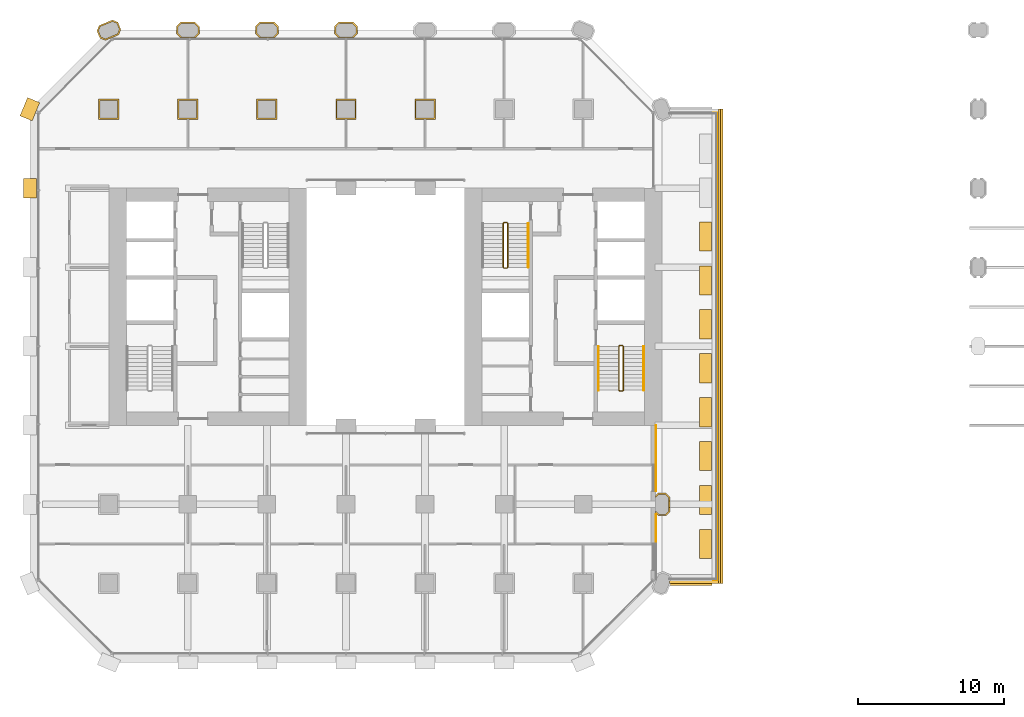
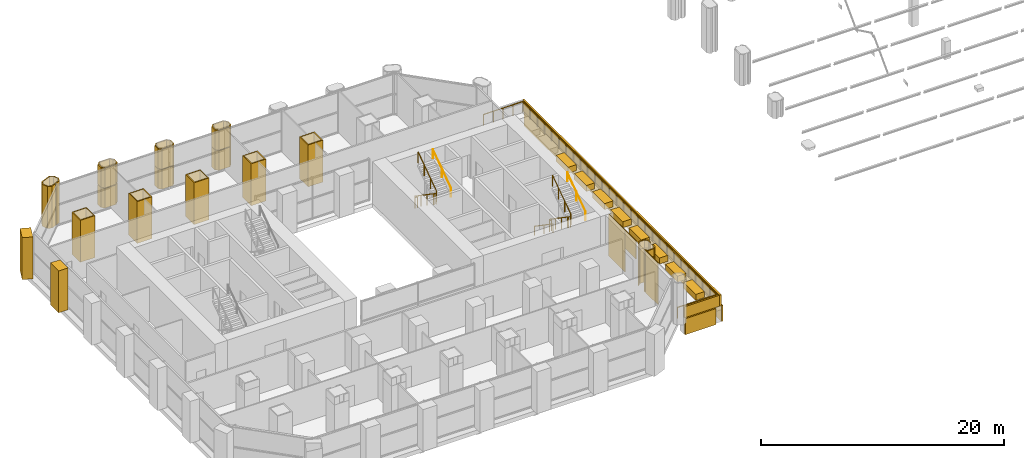
# One storey, part 21 of 23: 32 coverings, 6 railings.
"""IFC4 building model written with IfcOpenShell, lengths in metres."""

from ifc_helpers import new_model, si_unit, direction, frame, frame_2d, origin, origin_2d, place, context, subcontext, project, spatial, polyline, rectangle, circle, outline, extrude, material, layer, layer_set, type_object, element, save


model = new_model("IFC4")

# Units and contexts
model_context = context("Model", 3, precision=1e-05, world=origin(), true_north=direction((0.0, 1.0)))
body_context = subcontext(model_context, "Body", "Model", "MODEL_VIEW")
ifc_project = project(units=[si_unit("LENGTHUNIT", "METRE"), si_unit("AREAUNIT", "SQUARE_METRE"), si_unit("VOLUMEUNIT", "CUBIC_METRE"), si_unit("PLANEANGLEUNIT", "RADIAN"), si_unit("MASSUNIT", "GRAM", prefix="KILO")], contexts=[model_context])

# Site, building, storey
site_placement = place(None, origin())
site = spatial("IfcSite", under=ifc_project, at=site_placement, CompositionType="ELEMENT")
building_placement = place(site_placement, origin())
building = spatial("IfcBuilding", under=site, at=building_placement, Name="Tabaq Tower and Sports Hall", CompositionType="ELEMENT")
storey_placement = place(building_placement, frame((0.0, 0.0, 29.10009765625)))
storey = spatial("IfcBuildingStorey", under=building, at=storey_placement, Name="L05", CompositionType="ELEMENT", Elevation=29.10009765625)

# Coverings
ifc_material_1 = material(Name="Precast concrete C60/75", Category="concrete")
ifc_layer_1 = layer(ifc_material_1, 0.10009765625)
ifc_layer_set_1 = layer_set([ifc_layer_1], Name="Column cladding 100")
covering_type_1 = type_object("IfcCoveringType", Name="Column cladding 100", PredefinedType="CLADDING", material=ifc_layer_set_1)
covering_1_placement = place(storey_placement, origin())
element("IfcCovering", 1, at=covering_1_placement, inside=storey, type_object=covering_type_1, Name="Column cladding L05 CC-2H-P", PredefinedType="CLADDING", context=body_context, shape_type="SweptSolid", body=[
    extrude(outline(polyline([(4.7001953125, 38.499755859375), (6.099609375, 38.499755859375), (6.099609375, 37.100341796875), (4.7001953125, 37.100341796875), (4.7001953125, 38.499755859375)]), holes=[polyline([(6.000244140625, 37.19970703125), (6.000244140625, 38.400390625), (4.7998046875, 38.400390625), (4.7998046875, 37.19970703125), (6.000244140625, 37.19970703125)])]), origin(), (0.0, 0.0, 1.0), 4.199951171875),
])
covering_2_placement = place(storey_placement, origin())
element("IfcCovering", 2, at=covering_2_placement, inside=storey, type_object=covering_type_1, Name="Column cladding L05 PC-2I-P", PredefinedType="CLADDING", context=body_context, shape_type="SweptSolid", body=[
    extrude(outline(polyline([(4.582275390625, 43.149658203125), (4.73583984375, 43.519775390625), (5.6435546875, 43.895751953125), (6.013916015625, 43.742431640625), (6.217529296875, 43.25048828125), (6.064208984375, 42.880126953125), (5.60595703125, 42.690185546875), (5.586181640625, 42.690185546875), (5.586181640625, 42.68212890625), (5.156494140625, 42.504150390625), (4.7861328125, 42.657470703125), (4.582275390625, 43.149658203125)]), holes=[polyline([(6.110107421875, 43.25048828125), (5.937744140625, 43.66650390625), (5.6435546875, 43.788330078125), (4.811767578125, 43.44384765625), (4.68994140625, 43.149658203125), (4.8623046875, 42.733642578125), (5.156494140625, 42.61181640625), (5.98828125, 42.956298828125), (6.110107421875, 43.25048828125)])]), origin(), (0.0, 0.0, 1.0), 4.199951171875),
])
covering_3_placement = place(storey_placement, origin())
element("IfcCovering", 3, at=covering_3_placement, inside=storey, type_object=covering_type_1, Name="Column cladding L05 CC-3H-P", PredefinedType="CLADDING", context=body_context, shape_type="SweptSolid", body=[
    extrude(outline(polyline([(10.100341796875, 38.499755859375), (11.499755859375, 38.499755859375), (11.499755859375, 37.100341796875), (10.100341796875, 37.100341796875), (10.100341796875, 38.499755859375)]), holes=[polyline([(11.400390625, 37.19970703125), (11.400390625, 38.400390625), (10.19970703125, 38.400390625), (10.19970703125, 37.19970703125), (11.400390625, 37.19970703125)])]), origin(), (0.0, 0.0, 1.0), 4.199951171875),
])
for number, where, name in (
    (4, (0.0, 0.0, 0.102294921875), "Column cladding L05 PC-3I-P"),
    (5, (0.0, 0.0, 2.13232421875), "Column cladding L05 PC-3I-P 2"),
):
    element("IfcCovering", number, at=place(storey_placement, frame(where)), inside=storey, type_object=covering_type_1, Name=name, PredefinedType="CLADDING", context=body_context, shape_type="SweptSolid", body=[
        extrude(outline(polyline([(10.025390625, 43.46630859375), (10.30859375, 43.749755859375), (11.291259765625, 43.749755859375), (11.57470703125, 43.46630859375), (11.57470703125, 42.93359375), (11.331298828125, 42.690185546875), (10.268798828125, 42.690185546875), (10.025390625, 42.93359375), (10.025390625, 43.46630859375)]), holes=[polyline([(11.475341796875, 42.974853515625), (11.475341796875, 43.425048828125), (11.250244140625, 43.650390625), (10.349853515625, 43.650390625), (10.124755859375, 43.425048828125), (10.124755859375, 42.974853515625), (10.349853515625, 42.749755859375), (11.250244140625, 42.749755859375), (11.475341796875, 42.974853515625)])]), origin(), (0.0, 0.0, 1.0), 1.965087890625),
    ])
covering_4_placement = place(storey_placement, origin())
element("IfcCovering", 6, at=covering_4_placement, inside=storey, type_object=covering_type_1, Name="Column cladding L05 CC-4H-P", PredefinedType="CLADDING", context=body_context, shape_type="SweptSolid", body=[
    extrude(outline(polyline([(15.500244140625, 38.499755859375), (16.899658203125, 38.499755859375), (16.899658203125, 37.100341796875), (15.500244140625, 37.100341796875), (15.500244140625, 38.499755859375)]), holes=[polyline([(16.80029296875, 37.19970703125), (16.80029296875, 38.400390625), (15.599609375, 38.400390625), (15.599609375, 37.19970703125), (16.80029296875, 37.19970703125)])]), origin(), (0.0, 0.0, 1.0), 4.199951171875),
])
for number, where, name in (
    (7, (0.0, 0.0, 0.102294921875), "Column cladding L05 PC-4I-P"),
    (8, (0.0, 0.0, 2.13232421875), "Column cladding L05 PC-4I-P 2"),
):
    element("IfcCovering", number, at=place(storey_placement, frame(where)), inside=storey, type_object=covering_type_1, Name=name, PredefinedType="CLADDING", context=body_context, shape_type="SweptSolid", body=[
        extrude(outline(polyline([(15.42529296875, 43.46630859375), (15.708740234375, 43.749755859375), (16.69140625, 43.749755859375), (16.974609375, 43.46630859375), (16.974609375, 42.93359375), (16.731201171875, 42.690185546875), (15.668701171875, 42.690185546875), (15.42529296875, 42.93359375), (15.42529296875, 43.46630859375)]), holes=[polyline([(16.875244140625, 42.974853515625), (16.875244140625, 43.425048828125), (16.650146484375, 43.650390625), (15.749755859375, 43.650390625), (15.524658203125, 43.425048828125), (15.524658203125, 42.974853515625), (15.749755859375, 42.749755859375), (16.650146484375, 42.749755859375), (16.875244140625, 42.974853515625)])]), origin(), (0.0, 0.0, 1.0), 1.965087890625),
    ])
covering_5_placement = place(storey_placement, origin())
element("IfcCovering", 9, at=covering_5_placement, inside=storey, type_object=covering_type_1, Name="Column cladding L05 CC-5H-P", PredefinedType="CLADDING", context=body_context, shape_type="SweptSolid", body=[
    extrude(outline(polyline([(20.900390625, 38.499755859375), (22.2998046875, 38.499755859375), (22.2998046875, 37.100341796875), (20.900390625, 37.100341796875), (20.900390625, 38.499755859375)]), holes=[polyline([(22.2001953125, 37.19970703125), (22.2001953125, 38.400390625), (20.999755859375, 38.400390625), (20.999755859375, 37.19970703125), (22.2001953125, 37.19970703125)])]), origin(), (0.0, 0.0, 1.0), 4.199951171875),
])
for number, where, name in (
    (10, (0.0, 0.0, 0.102294921875), "Column cladding L05 PC-5I-P"),
    (11, (0.0, 0.0, 2.13232421875), "Column cladding L05 PC-5I-P 2"),
):
    element("IfcCovering", number, at=place(storey_placement, frame(where)), inside=storey, type_object=covering_type_1, Name=name, PredefinedType="CLADDING", context=body_context, shape_type="SweptSolid", body=[
        extrude(outline(polyline([(20.8251953125, 43.46630859375), (21.108642578125, 43.749755859375), (22.09130859375, 43.749755859375), (22.374755859375, 43.46630859375), (22.374755859375, 42.93359375), (22.13134765625, 42.690185546875), (21.068603515625, 42.690185546875), (20.8251953125, 42.93359375), (20.8251953125, 43.46630859375)]), holes=[polyline([(22.275390625, 42.974853515625), (22.275390625, 43.425048828125), (22.050048828125, 43.650390625), (21.14990234375, 43.650390625), (20.9248046875, 43.425048828125), (20.9248046875, 42.974853515625), (21.14990234375, 42.749755859375), (22.050048828125, 42.749755859375), (22.275390625, 42.974853515625)])]), origin(), (0.0, 0.0, 1.0), 1.965087890625),
    ])
covering_6_placement = place(storey_placement, origin())
element("IfcCovering", 12, at=covering_6_placement, inside=storey, type_object=covering_type_1, Name="Column cladding L05 CC-6H-P", PredefinedType="CLADDING", context=body_context, shape_type="SweptSolid", body=[
    extrude(outline(polyline([(26.30029296875, 38.499755859375), (27.69970703125, 38.499755859375), (27.69970703125, 37.100341796875), (26.30029296875, 37.100341796875), (26.30029296875, 38.499755859375)]), holes=[polyline([(27.600341796875, 37.19970703125), (27.600341796875, 38.400390625), (26.399658203125, 38.400390625), (26.399658203125, 37.19970703125), (27.600341796875, 37.19970703125)])]), origin(), (0.0, 0.0, 1.0), 4.199951171875),
])
covering_7_placement = place(storey_placement, origin())
element("IfcCovering", 13, at=covering_7_placement, inside=storey, type_object=covering_type_1, Name="Column cladding L05 PC-9C-P", PredefinedType="CLADDING", context=body_context, shape_type="SweptSolid", body=[
    extrude(outline(polyline([(42.93359375, 10.025390625), (42.750244140625, 10.208740234375), (42.750244140625, 10.349365234375), (42.974853515625, 10.124755859375), (43.425048828125, 10.124755859375), (43.650390625, 10.349853515625), (43.650390625, 11.250244140625), (43.425048828125, 11.475341796875), (42.974853515625, 11.475341796875), (42.750244140625, 11.250732421875), (42.750244140625, 11.391357421875), (42.93359375, 11.57470703125), (43.46630859375, 11.57470703125), (43.749755859375, 11.291259765625), (43.749755859375, 10.30859375), (43.46630859375, 10.025390625), (42.93359375, 10.025390625)])), origin(), (0.0, 0.0, 1.0), 3.449951171875),
])
covering_8_placement = place(storey_placement, frame((0.0, 0.0, 3.449951171875)))
element("IfcCovering", 14, at=covering_8_placement, inside=storey, type_object=covering_type_1, Name="Column cladding L05 PC-9C-P head", PredefinedType="CLADDING", context=body_context, shape_type="SweptSolid", body=[
    extrude(outline(polyline([(42.750244140625, 10.208740234375), (42.750244140625, 10.349365234375), (42.974853515625, 10.124755859375), (43.425048828125, 10.124755859375), (43.650390625, 10.349853515625), (43.650390625, 10.57470703125), (43.749755859375, 10.57470703125), (43.749755859375, 10.30859375), (43.46630859375, 10.025390625), (42.93359375, 10.025390625), (42.750244140625, 10.208740234375)])), origin(), (0.0, 0.0, 1.0), 0.75),
])
covering_9_placement = place(storey_placement, frame((0.0, 0.0, 3.449951171875)))
element("IfcCovering", 15, at=covering_9_placement, inside=storey, type_object=covering_type_1, Name="Column cladding L05 PC-9C-P head 2", PredefinedType="CLADDING", context=body_context, shape_type="SweptSolid", body=[
    extrude(outline(polyline([(43.650390625, 11.250244140625), (43.425048828125, 11.475341796875), (42.974853515625, 11.475341796875), (42.750244140625, 11.250732421875), (42.750244140625, 11.391357421875), (42.93359375, 11.57470703125), (43.46630859375, 11.57470703125), (43.749755859375, 11.291259765625), (43.749755859375, 11.025390625), (43.650390625, 11.025390625), (43.650390625, 11.250244140625)])), origin(), (0.0, 0.0, 1.0), 0.75),
])

# Railing
ifc_material_2 = material(Name="Stainless steel S316 and laminated glass", Category="steel")
railing_type_1 = type_object("IfcRailingType", Name="Guard 1100 steel and glass", PredefinedType="GUARDRAIL", material=ifc_material_2)
railing_1_placement = place(storey_placement, frame((43.199951171875, 5.64990234375, 0.0)))
element("IfcRailing", 16, at=railing_1_placement, inside=storey, type_object=railing_type_1, Name="Tray guard L05", PredefinedType="GUARDRAIL", context=body_context, shape_type="SweptSolid", body=[
    extrude(circle(Radius=0.02490234375, at=origin_2d()), frame((0.0, 0.0, 1.0751953125), z_axis=(1.0, 0.0, 0.0), x_axis=(0.0, 1.0, 0.0)), (0.0, 0.0, 1.0), 3.75),
    extrude(circle(Radius=0.02490234375, at=origin_2d()), frame((3.75, 0.0, 1.0751953125), z_axis=(0.0, 1.0, 0.0), x_axis=(-1.0, 0.0, 0.0)), (0.0, 0.0, 1.0), 31.900146484375),
    extrude(circle(Radius=0.02490234375, at=origin_2d()), frame((3.75, 31.900146484375, 1.0751953125), z_axis=(-1.0, 0.0, 0.0), x_axis=(0.0, -1.0, 0.0)), (0.0, 0.0, 1.0), 3.75),
    extrude(circle(Radius=0.02001953125, at=origin_2d()), origin(), (0.0, 0.0, 1.0), 1.050048828125),
    extrude(circle(Radius=0.02001953125, at=origin_2d()), frame((0.9375, 0.0, 0.0)), (0.0, 0.0, 1.0), 1.050048828125),
    extrude(circle(Radius=0.02001953125, at=origin_2d()), frame((1.875, 0.0, 0.0)), (0.0, 0.0, 1.0), 1.050048828125),
    extrude(circle(Radius=0.02001953125, at=origin_2d()), frame((2.8125, 0.0, 0.0)), (0.0, 0.0, 1.0), 1.050048828125),
    extrude(circle(Radius=0.02001953125, at=origin_2d()), frame((3.75, 0.0, 0.0)), (0.0, 0.0, 1.0), 1.050048828125),
    extrude(circle(Radius=0.02001953125, at=origin_2d()), frame((3.75, 1.181396484375, 0.0)), (0.0, 0.0, 1.0), 1.050048828125),
    extrude(circle(Radius=0.02001953125, at=origin_2d()), frame((3.75, 2.363037109375, 0.0)), (0.0, 0.0, 1.0), 1.050048828125),
    extrude(circle(Radius=0.02001953125, at=origin_2d()), frame((3.75, 3.54443359375, 0.0)), (0.0, 0.0, 1.0), 1.050048828125),
    extrude(circle(Radius=0.02001953125, at=origin_2d()), frame((3.75, 4.725830078125, 0.0)), (0.0, 0.0, 1.0), 1.050048828125),
    extrude(circle(Radius=0.02001953125, at=origin_2d()), frame((3.75, 5.907470703125, 0.0)), (0.0, 0.0, 1.0), 1.050048828125),
    extrude(circle(Radius=0.02001953125, at=origin_2d()), frame((3.75, 7.0888671875, 0.0)), (0.0, 0.0, 1.0), 1.050048828125),
    extrude(circle(Radius=0.02001953125, at=origin_2d()), frame((3.75, 8.2705078125, 0.0)), (0.0, 0.0, 1.0), 1.050048828125),
    extrude(circle(Radius=0.02001953125, at=origin_2d()), frame((3.75, 9.451904296875, 0.0)), (0.0, 0.0, 1.0), 1.050048828125),
    extrude(circle(Radius=0.02001953125, at=origin_2d()), frame((3.75, 10.63330078125, 0.0)), (0.0, 0.0, 1.0), 1.050048828125),
    extrude(circle(Radius=0.02001953125, at=origin_2d()), frame((3.75, 11.81494140625, 0.0)), (0.0, 0.0, 1.0), 1.050048828125),
    extrude(circle(Radius=0.02001953125, at=origin_2d()), frame((3.75, 12.996337890625, 0.0)), (0.0, 0.0, 1.0), 1.050048828125),
    extrude(circle(Radius=0.02001953125, at=origin_2d()), frame((3.75, 14.177734375, 0.0)), (0.0, 0.0, 1.0), 1.050048828125),
    extrude(circle(Radius=0.02001953125, at=origin_2d()), frame((3.75, 15.359375, 0.0)), (0.0, 0.0, 1.0), 1.050048828125),
    extrude(circle(Radius=0.02001953125, at=origin_2d()), frame((3.75, 16.540771484375, 0.0)), (0.0, 0.0, 1.0), 1.050048828125),
    extrude(circle(Radius=0.02001953125, at=origin_2d()), frame((3.75, 17.722412109375, 0.0)), (0.0, 0.0, 1.0), 1.050048828125),
    extrude(circle(Radius=0.02001953125, at=origin_2d()), frame((3.75, 18.90380859375, 0.0)), (0.0, 0.0, 1.0), 1.050048828125),
    extrude(circle(Radius=0.02001953125, at=origin_2d()), frame((3.75, 20.085205078125, 0.0)), (0.0, 0.0, 1.0), 1.050048828125),
    extrude(circle(Radius=0.02001953125, at=origin_2d()), frame((3.75, 21.266845703125, 0.0)), (0.0, 0.0, 1.0), 1.050048828125),
    extrude(circle(Radius=0.02001953125, at=origin_2d()), frame((3.75, 22.4482421875, 0.0)), (0.0, 0.0, 1.0), 1.050048828125),
    extrude(circle(Radius=0.02001953125, at=origin_2d()), frame((3.75, 23.629638671875, 0.0)), (0.0, 0.0, 1.0), 1.050048828125),
    extrude(circle(Radius=0.02001953125, at=origin_2d()), frame((3.75, 24.811279296875, 0.0)), (0.0, 0.0, 1.0), 1.050048828125),
    extrude(circle(Radius=0.02001953125, at=origin_2d()), frame((3.75, 25.99267578125, 0.0)), (0.0, 0.0, 1.0), 1.050048828125),
    extrude(circle(Radius=0.02001953125, at=origin_2d()), frame((3.75, 27.17431640625, 0.0)), (0.0, 0.0, 1.0), 1.050048828125),
    extrude(circle(Radius=0.02001953125, at=origin_2d()), frame((3.75, 28.355712890625, 0.0)), (0.0, 0.0, 1.0), 1.050048828125),
    extrude(circle(Radius=0.02001953125, at=origin_2d()), frame((3.75, 29.537109375, 0.0)), (0.0, 0.0, 1.0), 1.050048828125),
    extrude(circle(Radius=0.02001953125, at=origin_2d()), frame((3.75, 30.71875, 0.0)), (0.0, 0.0, 1.0), 1.050048828125),
    extrude(circle(Radius=0.02001953125, at=origin_2d()), frame((3.75, 31.900146484375, 0.0)), (0.0, 0.0, 1.0), 1.050048828125),
    extrude(circle(Radius=0.02001953125, at=origin_2d()), frame((2.8125, 31.900146484375, 0.0)), (0.0, 0.0, 1.0), 1.050048828125),
    extrude(circle(Radius=0.02001953125, at=origin_2d()), frame((1.875, 31.900146484375, 0.0)), (0.0, 0.0, 1.0), 1.050048828125),
    extrude(circle(Radius=0.02001953125, at=origin_2d()), frame((0.9375, 31.900146484375, 0.0)), (0.0, 0.0, 1.0), 1.050048828125),
    extrude(circle(Radius=0.02001953125, at=origin_2d()), frame((0.0, 31.900146484375, 0.0)), (0.0, 0.0, 1.0), 1.050048828125),
])

# Coverings
ifc_material_3 = material(Name="White precast concrete C60/75", Category="concrete")
covering_type_2 = type_object("IfcCoveringType", Name="Pier cladding hung 1350x900", PredefinedType="CLADDING", material=ifc_material_3)
covering_10_placement = place(storey_placement, frame((0.0, 33.074951171875, 0.0), z_axis=(0.0, 0.0, 1.0), x_axis=(0.0, -1.0, 0.0)))
element("IfcCovering", 17, at=covering_10_placement, inside=storey, type_object=covering_type_2, Name="Hung pier cladding 0/6", PredefinedType="CLADDING", context=body_context, shape_type="SweptSolid", body=[
    extrude(rectangle(XDim=1.349853515625, YDim=0.89990234375, at=frame_2d((0.6748046875, 0.0))), origin(), (0.0, 0.0, 1.0), 4.199951171875),
])
covering_11_placement = place(storey_placement, frame((0.25830078125, 38.423583984375, 0.0), z_axis=(0.0, 0.0, 1.0), x_axis=(-0.382649923473, -0.923893411637, 0.0)))
element("IfcCovering", 18, at=covering_11_placement, inside=storey, type_object=covering_type_2, Name="Hung pier cladding 0/7", PredefinedType="CLADDING", context=body_context, shape_type="SweptSolid", body=[
    extrude(rectangle(XDim=1.35009765625, YDim=0.89990234375, at=frame_2d((0.675048828125, 0.0))), origin(), (0.0, 0.0, 1.0), 4.199951171875),
])
ifc_material_4 = material(Name="Planting soil and drainage layer")
covering_type_3 = type_object("IfcCoveringType", Name="Planter 2000x800x600", PredefinedType="USERDEFINED", material=ifc_material_4)
for number, where, z_axis, x_axis, name in (
    (19, (46.169921875, 8.10009765625, -0.000244140625), (0.0, 0.0, 1.0), (0.0, 1.0, 0.0), "Planter L05"),
    (20, (46.169921875, 11.10009765625, -0.000244140625), (0.0, 0.0, 1.0), (0.0, 1.0, 0.0), "Planter L05"),
    (21, (46.169921875, 14.10009765625, -0.000244140625), (0.0, 0.0, 1.0), (0.0, 1.0, 0.0), "Planter L05"),
    (22, (46.169921875, 17.10009765625, -0.000244140625), (0.0, 0.0, 1.0), (0.0, 1.0, 0.0), "Planter L05"),
    (23, (46.169921875, 20.10009765625, -0.000244140625), (0.0, 0.0, 1.0), (0.0, 1.0, 0.0), "Planter L05"),
    (24, (46.169921875, 23.10009765625, -0.000244140625), (0.0, 0.0, 1.0), (0.0, 1.0, 0.0), "Planter L05"),
    (25, (46.169921875, 26.10009765625, -0.000244140625), (0.0, 0.0, 1.0), (0.0, 1.0, 0.0), "Planter L05"),
    (26, (46.169921875, 29.10009765625, -0.000244140625), (0.0, 0.0, 1.0), (0.0, 1.0, 0.0), "Planter L05"),
):
    element("IfcCovering", number, at=place(storey_placement, frame(where, z_axis=z_axis, x_axis=x_axis)), inside=storey, type_object=covering_type_3, Name=name, ObjectType="PLANTER", PredefinedType="USERDEFINED", context=body_context, shape_type="SweptSolid", body=[
        extrude(rectangle(XDim=2.0, YDim=0.800048828125, at=origin_2d()), origin(), (0.0, 0.0, 1.0), 0.60009765625),
    ])

# Railings
ifc_material_5 = material(Name="Stainless steel", Category="steel")
railing_type_2 = type_object("IfcRailingType", Name="Stair guard", PredefinedType="GUARDRAIL", material=ifc_material_5)
railing_2_placement = place(storey_placement, frame((40.5, 21.64990234375, 0.0)))
element("IfcRailing", 27, at=railing_2_placement, inside=storey, type_object=railing_type_2, Name="L05 ST3 stair guard 1", PredefinedType="GUARDRAIL", context=body_context, shape_type="SweptSolid", body=[
    extrude(circle(Radius=0.02392578125, at=origin_2d()), frame((0.0, 0.0, 1.076171875), z_axis=(-1.0, 0.0, 0.0), x_axis=(0.0, -1.0, 0.0)), (0.0, 0.0, 1.0), 0.199951171875),
    extrude(circle(Radius=0.02392578125, at=origin_2d()), frame((-0.199951171875, 0.0, 1.076171875), z_axis=(-0.249802250048, -0.248583702486, 0.935844527007), x_axis=(0.705375805398, -0.708833529934, 0.0)), (0.0, 0.0, 1.0), 0.200439453125),
    extrude(circle(Radius=0.02392578125, at=origin_2d()), frame((-0.25, -0.0498046875, 1.263671875), z_axis=(0.0, -0.824041924199, 0.566528822887), x_axis=(1.0, 0.0, 0.0)), (0.0, 0.0, 1.0), 3.640625),
    extrude(circle(Radius=0.02392578125, at=origin_2d()), frame((-0.25, -3.0498046875, 3.326171875), z_axis=(0.707106781187, -0.707106781187, 0.0), x_axis=(0.707106781187, 0.707106781187, 0.0)), (0.0, 0.0, 1.0), 0.07080078125),
    extrude(circle(Radius=0.02392578125, at=origin_2d()), frame((-0.199951171875, -3.099853515625, 3.326171875), z_axis=(1.0, 0.0, 0.0), x_axis=(0.0, 1.0, 0.0)), (0.0, 0.0, 1.0), 0.199951171875),
    extrude(circle(Radius=0.02392578125, at=origin_2d()), frame((0.0, -3.099853515625, 3.326171875), z_axis=(0.249726431254, 0.249726431254, 0.935560483917), x_axis=(-0.707106781187, 0.707106781187, 0.0)), (0.0, 0.0, 1.0), 0.200439453125),
    extrude(circle(Radius=0.02392578125, at=origin_2d()), frame((0.050048828125, -3.0498046875, 3.513671875), z_axis=(0.0, 0.824041924199, 0.566528822887), x_axis=(-1.0, 0.0, 0.0)), (0.0, 0.0, 1.0), 3.640625),
    extrude(circle(Radius=0.02099609375, at=origin_2d()), origin(), (0.0, 0.0, 1.0), 1.052001953125),
    extrude(circle(Radius=0.02099609375, at=origin_2d()), frame((-0.199951171875, 0.0, 0.0)), (0.0, 0.0, 1.0), 1.052001953125),
    extrude(circle(Radius=0.02099609375, at=origin_2d()), frame((-0.25, -0.0498046875, 0.1875)), (0.0, 0.0, 1.0), 1.052001953125),
    extrude(circle(Radius=0.02099609375, at=origin_2d()), frame((-0.25, -1.0498046875, 0.875)), (0.0, 0.0, 1.0), 1.052001953125),
    extrude(circle(Radius=0.02099609375, at=origin_2d()), frame((-0.25, -2.0498046875, 1.5625)), (0.0, 0.0, 1.0), 1.052001953125),
    extrude(circle(Radius=0.02099609375, at=origin_2d()), frame((-0.25, -3.0498046875, 2.25)), (0.0, 0.0, 1.0), 1.052001953125),
    extrude(circle(Radius=0.02099609375, at=origin_2d()), frame((-0.199951171875, -3.099853515625, 2.25)), (0.0, 0.0, 1.0), 1.052001953125),
    extrude(circle(Radius=0.02099609375, at=origin_2d()), frame((0.0, -3.099853515625, 2.25)), (0.0, 0.0, 1.0), 1.052001953125),
    extrude(circle(Radius=0.02099609375, at=origin_2d()), frame((0.050048828125, -3.0498046875, 2.4375)), (0.0, 0.0, 1.0), 1.052001953125),
    extrude(circle(Radius=0.02099609375, at=origin_2d()), frame((0.050048828125, -2.0498046875, 3.125)), (0.0, 0.0, 1.0), 1.052001953125),
    extrude(circle(Radius=0.02099609375, at=origin_2d()), frame((0.050048828125, -1.0498046875, 3.8125)), (0.0, 0.0, 1.0), 1.052001953125),
    extrude(circle(Radius=0.02099609375, at=origin_2d()), frame((0.050048828125, -0.0498046875, 4.5)), (0.0, 0.0, 1.0), 1.052001953125),
])
railing_3_placement = place(storey_placement, frame((32.60009765625, 30.050048828125, 0.0)))
element("IfcRailing", 28, at=railing_3_placement, inside=storey, type_object=railing_type_2, Name="L05 ST4 stair guard 1", PredefinedType="GUARDRAIL", context=body_context, shape_type="SweptSolid", body=[
    extrude(circle(Radius=0.02392578125, at=origin_2d()), frame((0.0, 0.0, 1.076171875), z_axis=(-1.0, 0.0, 0.0), x_axis=(0.0, -1.0, 0.0)), (0.0, 0.0, 1.0), 0.2001953125),
    extrude(circle(Radius=0.02392578125, at=origin_2d()), frame((-0.2001953125, 0.0, 1.076171875), z_axis=(-0.248583702486, -0.249802250048, 0.935844527007), x_axis=(0.708833529934, -0.705375805398, 0.0)), (0.0, 0.0, 1.0), 0.200439453125),
    extrude(circle(Radius=0.02392578125, at=origin_2d()), frame((-0.25, -0.050048828125, 1.263671875), z_axis=(0.0, -0.824041924199, 0.566528822887), x_axis=(1.0, 0.0, 0.0)), (0.0, 0.0, 1.0), 3.640625),
    extrude(circle(Radius=0.02392578125, at=origin_2d()), frame((-0.25, -3.050048828125, 3.326171875), z_axis=(0.705375805398, -0.708833529934, 0.0), x_axis=(0.708833529934, 0.705375805398, 0.0)), (0.0, 0.0, 1.0), 0.070556640625),
    extrude(circle(Radius=0.02392578125, at=origin_2d()), frame((-0.2001953125, -3.10009765625, 3.326171875), z_axis=(1.0, 0.0, 0.0), x_axis=(0.0, 1.0, 0.0)), (0.0, 0.0, 1.0), 0.2001953125),
    extrude(circle(Radius=0.02392578125, at=origin_2d()), frame((0.0, -3.10009765625, 3.326171875), z_axis=(0.248583702486, 0.249802250048, 0.935844527007), x_axis=(-0.708833529934, 0.705375805398, 0.0)), (0.0, 0.0, 1.0), 0.200439453125),
    extrude(circle(Radius=0.02392578125, at=origin_2d()), frame((0.0498046875, -3.050048828125, 3.513671875), z_axis=(0.0, 0.824041924199, 0.566528822887), x_axis=(-1.0, 0.0, 0.0)), (0.0, 0.0, 1.0), 3.640625),
    extrude(circle(Radius=0.02099609375, at=origin_2d()), origin(), (0.0, 0.0, 1.0), 1.052001953125),
    extrude(circle(Radius=0.02099609375, at=origin_2d()), frame((-0.2001953125, 0.0, 0.0)), (0.0, 0.0, 1.0), 1.052001953125),
    extrude(circle(Radius=0.02099609375, at=origin_2d()), frame((-0.25, -0.050048828125, 0.1875)), (0.0, 0.0, 1.0), 1.052001953125),
    extrude(circle(Radius=0.02099609375, at=origin_2d()), frame((-0.25, -1.050048828125, 0.875)), (0.0, 0.0, 1.0), 1.052001953125),
    extrude(circle(Radius=0.02099609375, at=origin_2d()), frame((-0.25, -2.050048828125, 1.5625)), (0.0, 0.0, 1.0), 1.052001953125),
    extrude(circle(Radius=0.02099609375, at=origin_2d()), frame((-0.25, -3.050048828125, 2.25)), (0.0, 0.0, 1.0), 1.052001953125),
    extrude(circle(Radius=0.02099609375, at=origin_2d()), frame((-0.2001953125, -3.10009765625, 2.25)), (0.0, 0.0, 1.0), 1.052001953125),
    extrude(circle(Radius=0.02099609375, at=origin_2d()), frame((0.0, -3.10009765625, 2.25)), (0.0, 0.0, 1.0), 1.052001953125),
    extrude(circle(Radius=0.02099609375, at=origin_2d()), frame((0.0498046875, -3.050048828125, 2.4375)), (0.0, 0.0, 1.0), 1.052001953125),
    extrude(circle(Radius=0.02099609375, at=origin_2d()), frame((0.0498046875, -2.050048828125, 3.125)), (0.0, 0.0, 1.0), 1.052001953125),
    extrude(circle(Radius=0.02099609375, at=origin_2d()), frame((0.0498046875, -1.050048828125, 3.8125)), (0.0, 0.0, 1.0), 1.052001953125),
    extrude(circle(Radius=0.02099609375, at=origin_2d()), frame((0.0498046875, -0.050048828125, 4.5)), (0.0, 0.0, 1.0), 1.052001953125),
])
ifc_material_6 = material(Name="Stainless steel", Category="steel")
railing_type_3 = type_object("IfcRailingType", Name="Stair handrail", PredefinedType="HANDRAIL", material=ifc_material_6)
railing_4_placement = place(storey_placement, frame((38.85009765625, 21.60009765625, 0.1875)))
element("IfcRailing", 29, at=railing_4_placement, inside=storey, type_object=railing_type_3, Name="L05 ST3 stair handrail 1", PredefinedType="HANDRAIL", context=body_context, shape_type="SweptSolid", body=[
    extrude(circle(Radius=0.02392578125, at=origin_2d()), frame((0.0, 0.0, 0.8759765625), z_axis=(0.0, -0.824041924199, 0.566528822887), x_axis=(1.0, 0.0, 0.0)), (0.0, 0.0, 1.0), 3.640625),
    extrude(circle(Radius=0.02099609375, at=origin_2d()), origin(), (0.0, 0.0, 1.0), 0.851806640625),
    extrude(circle(Radius=0.02099609375, at=origin_2d()), frame((0.0, -1.5, 1.03125)), (0.0, 0.0, 1.0), 0.851806640625),
    extrude(circle(Radius=0.02099609375, at=origin_2d()), frame((0.0, -3.0, 2.0625)), (0.0, 0.0, 1.0), 0.851806640625),
])
for number, where, name in (
    (30, (41.949951171875, 18.60009765625, 2.4375), "L05 ST3 stair handrail 2"),
    (31, (34.050048828125, 27.0, 2.4375), "L05 ST4 stair handrail 2"),
):
    element("IfcRailing", number, at=place(storey_placement, frame(where)), inside=storey, type_object=railing_type_3, Name=name, PredefinedType="HANDRAIL", context=body_context, shape_type="SweptSolid", body=[
        extrude(circle(Radius=0.02392578125, at=origin_2d()), frame((0.0, 0.0, 0.8759765625), z_axis=(0.0, 0.824041924199, 0.566528822887), x_axis=(-1.0, 0.0, 0.0)), (0.0, 0.0, 1.0), 3.640625),
        extrude(circle(Radius=0.02099609375, at=origin_2d()), origin(), (0.0, 0.0, 1.0), 0.851806640625),
        extrude(circle(Radius=0.02099609375, at=origin_2d()), frame((0.0, 1.5, 1.03125)), (0.0, 0.0, 1.0), 0.851806640625),
        extrude(circle(Radius=0.02099609375, at=origin_2d()), frame((0.0, 3.0, 2.0625)), (0.0, 0.0, 1.0), 0.851806640625),
    ])

# Coverings
ifc_material_7 = material(Name="Precast concrete C60/75", Category="concrete")
ifc_layer_2 = layer(ifc_material_7, 0.14990234375)
ifc_layer_set_2 = layer_set([ifc_layer_2], Name="Tray fascia 1200")
covering_type_4 = type_object("IfcCoveringType", Name="Tray fascia 1200", PredefinedType="CLADDING", material=ifc_layer_set_2)
covering_12_placement = place(storey_placement, frame((43.69677734375, 5.324951171875, -1.60009765625), z_axis=(0.0, 0.0, 1.0), x_axis=(1.0, 0.0, 0.0)))
element("IfcCovering", 32, at=covering_12_placement, inside=storey, type_object=covering_type_4, Name="Tray fascia L05 EBT", PredefinedType="CLADDING", context=body_context, shape_type="SweptSolid", body=[
    extrude(rectangle(XDim=2.9033203125, YDim=0.14990234375, at=frame_2d((1.45166015625, 0.0))), origin(), (0.0, 0.0, 1.0), 1.60009765625),
])
covering_13_placement = place(storey_placement, frame((47.27490234375, 5.39990234375, -1.60009765625), z_axis=(0.0, 0.0, 1.0), x_axis=(0.0, 1.0, 0.0)))
element("IfcCovering", 33, at=covering_13_placement, inside=storey, type_object=covering_type_4, Name="Tray fascia L05 EBT", PredefinedType="CLADDING", context=body_context, shape_type="SweptSolid", body=[
    extrude(rectangle(XDim=32.400146484375, YDim=0.14990234375, at=frame_2d((16.2001953125, 0.0))), origin(), (0.0, 0.0, 1.0), 1.60009765625),
])
ifc_material_8 = material(Name="Precast concrete C60/75", Category="concrete")
ifc_layer_3 = layer(ifc_material_8, 0.14990234375)
ifc_layer_set_3 = layer_set([ifc_layer_3], Name="Tray upstand cladding 1100")
covering_type_5 = type_object("IfcCoveringType", Name="Tray upstand cladding 1100", PredefinedType="CLADDING", material=ifc_layer_set_3)
covering_14_placement = place(storey_placement, frame((47.125, 5.39990234375, 0.0), z_axis=(0.0, 0.0, 1.0), x_axis=(0.0, 1.0, 0.0)))
element("IfcCovering", 34, at=covering_14_placement, inside=storey, type_object=covering_type_5, Name="Tray upstand cladding L05", PredefinedType="CLADDING", context=body_context, shape_type="SweptSolid", body=[
    extrude(rectangle(XDim=32.400146484375, YDim=0.14990234375, at=frame_2d((16.2001953125, 0.0))), origin(), (0.0, 0.0, 1.0), 1.099853515625),
])
covering_15_placement = place(storey_placement, frame((43.699951171875, 5.47509765625, 0.0), z_axis=(0.0, 0.0, 1.0), x_axis=(1.0, 0.0, 0.0)))
element("IfcCovering", 35, at=covering_15_placement, inside=storey, type_object=covering_type_5, Name="Tray upstand cladding L05", PredefinedType="CLADDING", context=body_context, shape_type="SweptSolid", body=[
    extrude(rectangle(XDim=3.35009765625, YDim=0.14990234375, at=frame_2d((1.675048828125, 0.0))), origin(), (0.0, 0.0, 1.0), 1.099853515625),
])
ifc_material_9 = material(Name="Precast concrete C60/75", Category="concrete")
ifc_layer_4 = layer(ifc_material_9, 0.06005859375)
ifc_layer_set_4 = layer_set([ifc_layer_4], Name="White precast cladding panel 60 C60/75")
covering_type_6 = type_object("IfcCoveringType", Name="White precast cladding panel 60 C60/75", PredefinedType="CLADDING", material=ifc_layer_set_4)
covering_16_placement = place(storey_placement, frame((42.780029296875, 8.110107421875, 0.0), z_axis=(0.0, 0.0, 1.0), x_axis=(0.0, 1.0, 0.0)))
element("IfcCovering", 36, at=covering_16_placement, inside=storey, type_object=covering_type_6, Name="White precast cladding panel L05 infill02-0-0 3", PredefinedType="CLADDING", context=body_context, shape_type="SweptSolid", body=[
    extrude(rectangle(XDim=2.0048828125, YDim=0.06005859375, at=frame_2d((1.00244140625, 0.0))), origin(), (0.0, 0.0, 1.0), 4.199951171875),
])
covering_17_placement = place(storey_placement, frame((42.780029296875, 11.68994140625, 2.409912109375), z_axis=(0.0, 0.0, 1.0), x_axis=(0.0, 1.0, 0.0)))
element("IfcCovering", 37, at=covering_17_placement, inside=storey, type_object=covering_type_6, Name="White precast cladding panel L05 infill02-0-0 4", PredefinedType="CLADDING", context=body_context, shape_type="SweptSolid", body=[
    extrude(rectangle(XDim=1.820068359375, YDim=0.06005859375, at=frame_2d((0.91015625, 0.0))), origin(), (0.0, 0.0, 1.0), 1.7900390625),
])
covering_18_placement = place(storey_placement, frame((42.780029296875, 13.510009765625, 0.0), z_axis=(0.0, 0.0, 1.0), x_axis=(0.0, 1.0, 0.0)))
element("IfcCovering", 38, at=covering_18_placement, inside=storey, type_object=covering_type_6, Name="White precast cladding panel L05 infill02-0-0 5", PredefinedType="CLADDING", context=body_context, shape_type="SweptSolid", body=[
    extrude(rectangle(XDim=2.68994140625, YDim=0.06005859375, at=frame_2d((1.344970703125, 0.0))), origin(), (0.0, 0.0, 1.0), 4.199951171875),
])

save(model, "model.ifc")
